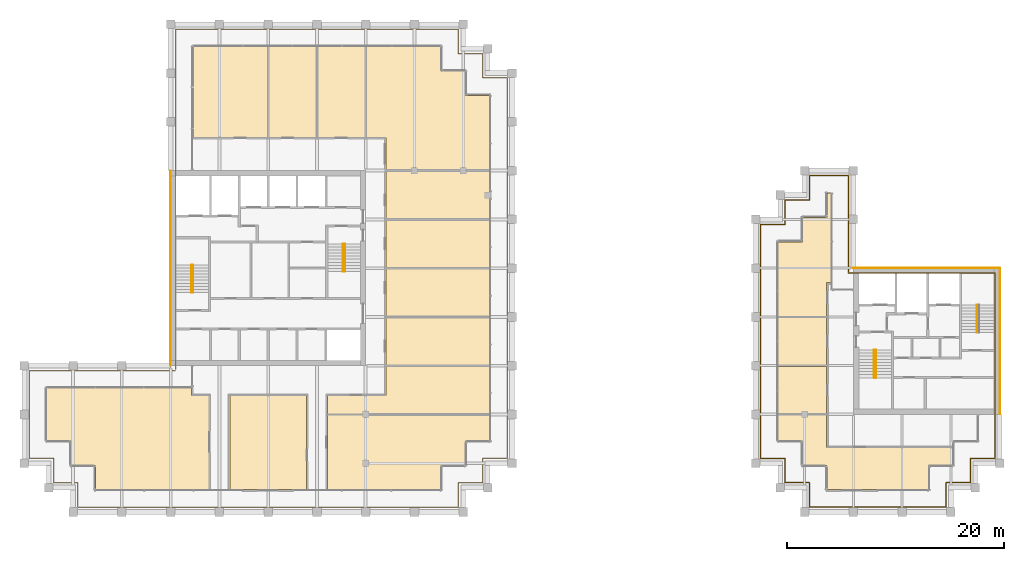
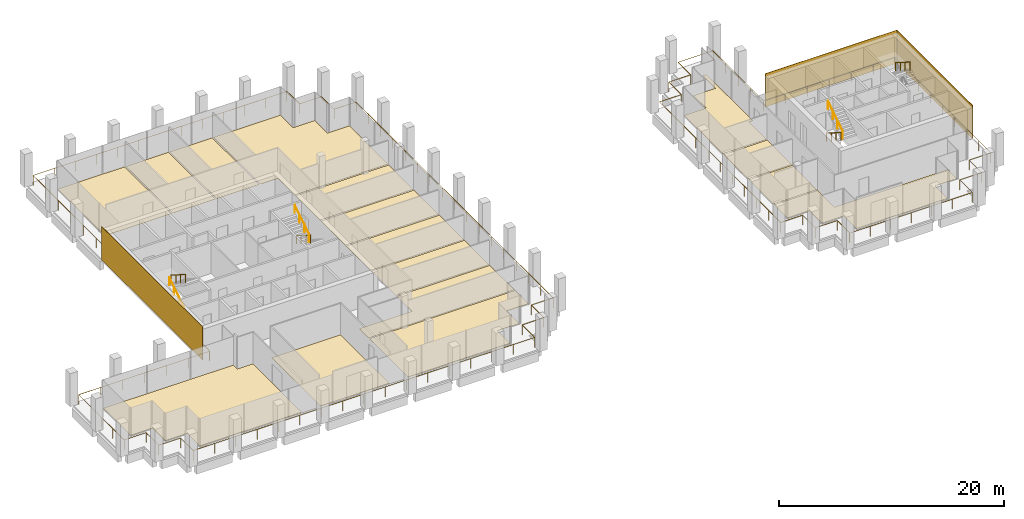
# One storey, part 40 of 41: 19 coverings, 9 railings.
"""IFC4 building model written with IfcOpenShell, lengths in metres."""

from ifc_helpers import new_model, si_unit, direction, frame, origin, origin_2d, place, context, subcontext, project, spatial, polyline, rectangle, circle, outline, extrude, source, transform, mapped, material, layer, layer_set, type_object, element, save


model = new_model("IFC4")

# Units and contexts
model_context = context("Model", 3, precision=1e-05, world=origin(), true_north=direction((0.0, 1.0)))
body_context = subcontext(model_context, "Body", "Model", "MODEL_VIEW")
ifc_project = project(units=[si_unit("LENGTHUNIT", "METRE"), si_unit("AREAUNIT", "SQUARE_METRE"), si_unit("VOLUMEUNIT", "CUBIC_METRE"), si_unit("PLANEANGLEUNIT", "RADIAN"), si_unit("MASSUNIT", "GRAM", prefix="KILO")], contexts=[model_context])

# Site, building, storey
site_placement = place(None, origin())
site = spatial("IfcSite", under=ifc_project, at=site_placement, CompositionType="ELEMENT")
building_placement = place(site_placement, origin())
building = spatial("IfcBuilding", under=site, at=building_placement, Name="Altepetl Exchange Towers", CompositionType="ELEMENT")
storey_placement = place(building_placement, frame((0.0, 0.0, 206.39990234375)))
storey = spatial("IfcBuildingStorey", under=building, at=storey_placement, Name="L52", CompositionType="ELEMENT", Elevation=206.39990234375)

# Coverings
ifc_material_1 = material(Name="Carpet tile")
ifc_layer_1 = layer(ifc_material_1, 0.02001953125)
ifc_layer_set_1 = layer_set([ifc_layer_1], Name="Carpet tile")
covering_type_1 = type_object("IfcCoveringType", Name="Carpet tile floor", PredefinedType="FLOORING", material=ifc_layer_set_1)
covering_1_placement = place(storey_placement, origin())
element("IfcCovering", 1, at=covering_1_placement, inside=storey, type_object=covering_type_1, Name="Family office floor finish A52.04", PredefinedType="FLOORING", context=body_context, shape_type="SweptSolid", body=[
    extrude(outline(polyline([(69.9375, 40.4375), (60.362548828125, 40.4375), (60.362548828125, 37.737548828125), (54.96240234375, 37.737548828125), (54.96240234375, 36.0625), (69.9375, 36.0625), (69.9375, 40.4375)])), origin(), (0.0, 0.0, 1.0), 0.02001953125),
])
covering_2_placement = place(storey_placement, origin())
element("IfcCovering", 2, at=covering_2_placement, inside=storey, type_object=covering_type_1, Name="Open office floor finish A52.05", PredefinedType="FLOORING", context=body_context, shape_type="SweptSolid", body=[
    extrude(outline(polyline([(69.9375, 44.9375), (60.362548828125, 44.9375), (60.362548828125, 40.5625), (69.9375, 40.5625), (69.9375, 44.9375)])), origin(), (0.0, 0.0, 1.0), 0.02001953125),
])
covering_3_placement = place(storey_placement, origin())
element("IfcCovering", 3, at=covering_3_placement, inside=storey, type_object=covering_type_1, Name="Conference room floor finish A52.06", PredefinedType="FLOORING", context=body_context, shape_type="SweptSolid", body=[
    extrude(outline(polyline([(69.9375, 49.4375), (60.362548828125, 49.4375), (60.362548828125, 45.0625), (69.9375, 45.0625), (69.9375, 49.4375)])), origin(), (0.0, 0.0, 1.0), 0.02001953125),
])
covering_4_placement = place(storey_placement, origin())
element("IfcCovering", 4, at=covering_4_placement, inside=storey, type_object=covering_type_1, Name="Open office floor finish A52.07", PredefinedType="FLOORING", context=body_context, shape_type="SweptSolid", body=[
    extrude(outline(polyline([(69.9375, 53.9375), (60.362548828125, 53.9375), (60.362548828125, 49.5625), (69.9375, 49.5625), (69.9375, 53.9375)])), origin(), (0.0, 0.0, 1.0), 0.02001953125),
])
covering_5_placement = place(storey_placement, origin())
element("IfcCovering", 5, at=covering_5_placement, inside=storey, type_object=covering_type_1, Name="Conference room floor finish A52.08", PredefinedType="FLOORING", context=body_context, shape_type="SweptSolid", body=[
    extrude(outline(polyline([(69.9375, 58.4375), (60.362548828125, 58.4375), (60.362548828125, 54.0625), (69.9375, 54.0625), (69.9375, 58.4375)])), origin(), (0.0, 0.0, 1.0), 0.02001953125),
])
covering_6_placement = place(storey_placement, origin())
element("IfcCovering", 6, at=covering_6_placement, inside=storey, type_object=covering_type_1, Name="Quiet room floor finish A52.10", PredefinedType="FLOORING", context=body_context, shape_type="SweptSolid", body=[
    extrude(outline(polyline([(58.4375, 61.5625), (58.4375, 69.9375), (54.0625, 69.9375), (54.0625, 61.5625), (58.4375, 61.5625)])), origin(), (0.0, 0.0, 1.0), 0.02001953125),
])
covering_7_placement = place(storey_placement, origin())
element("IfcCovering", 7, at=covering_7_placement, inside=storey, type_object=covering_type_1, Name="Pantry floor finish A52.11", PredefinedType="FLOORING", context=body_context, shape_type="SweptSolid", body=[
    extrude(outline(polyline([(53.9375, 61.5625), (53.9375, 69.9375), (49.5625, 69.9375), (49.5625, 61.5625), (53.9375, 61.5625)])), origin(), (0.0, 0.0, 1.0), 0.02001953125),
])
covering_8_placement = place(storey_placement, origin())
element("IfcCovering", 8, at=covering_8_placement, inside=storey, type_object=covering_type_1, Name="Open office floor finish A52.12", PredefinedType="FLOORING", context=body_context, shape_type="SweptSolid", body=[
    extrude(outline(polyline([(49.4375, 61.5625), (49.4375, 69.9375), (42.5625, 69.9375), (42.5625, 61.5625), (49.4375, 61.5625)])), origin(), (0.0, 0.0, 1.0), 0.02001953125),
])
covering_9_placement = place(storey_placement, origin())
element("IfcCovering", 9, at=covering_9_placement, inside=storey, type_object=covering_type_1, Name="Interview room floor finish B52.01", PredefinedType="FLOORING", context=body_context, shape_type="SweptSolid", body=[
    extrude(outline(polyline([(96.5625, 36.0625), (101.03759765625, 36.0625), (101.03759765625, 40.4375), (96.5625, 40.4375), (96.5625, 36.0625)])), origin(), (0.0, 0.0, 1.0), 0.02001953125),
])
covering_10_placement = place(storey_placement, origin())
element("IfcCovering", 10, at=covering_10_placement, inside=storey, type_object=covering_type_1, Name="Open office floor finish B52.02", PredefinedType="FLOORING", context=body_context, shape_type="SweptSolid", body=[
    extrude(outline(polyline([(112.6875, 31.3125), (112.6875, 32.9375), (101.03759765625, 32.9375), (101.03759765625, 35.9375), (96.5625, 35.9375), (96.5625, 33.5625), (98.8125, 33.5625), (98.8125, 31.3125), (101.0625, 31.3125), (101.0625, 29.0625), (110.4375, 29.0625), (110.4375, 31.3125), (112.6875, 31.3125)])), origin(), (0.0, 0.0, 1.0), 0.02001953125),
])
covering_11_placement = place(storey_placement, origin())
element("IfcCovering", 11, at=covering_11_placement, inside=storey, type_object=covering_type_1, Name="Interview room floor finish B52.04", PredefinedType="FLOORING", context=body_context, shape_type="SweptSolid", body=[
    extrude(outline(polyline([(96.5625, 40.5625), (101.03759765625, 40.5625), (101.03759765625, 44.9375), (96.5625, 44.9375), (96.5625, 40.5625)])), origin(), (0.0, 0.0, 1.0), 0.02001953125),
])
ifc_material_2 = material(Name="Cantera stone", Category="masonry")
ifc_layer_2 = layer(ifc_material_2, 0.030029296875)
ifc_layer_set_2 = layer_set([ifc_layer_2], Name="Cantera stone")
covering_type_2 = type_object("IfcCoveringType", Name="Polished stone floor", PredefinedType="FLOORING", material=ifc_layer_set_2)
covering_12_placement = place(storey_placement, origin())
element("IfcCovering", 12, at=covering_12_placement, inside=storey, type_object=covering_type_2, Name="Library floor finish A52.01", PredefinedType="FLOORING", context=body_context, shape_type="SweptSolid", body=[
    extrude(outline(polyline([(31.3125, 33.5625), (31.3125, 31.3125), (33.5625, 31.3125), (33.5625, 29.0625), (44.03759765625, 29.0625), (44.03759765625, 37.737548828125), (42.4375, 37.737548828125), (42.4375, 38.4375), (29.0625, 38.4375), (29.0625, 33.5625), (31.3125, 33.5625)])), origin(), (0.0, 0.0, 1.0), 0.030029296875),
])
covering_13_placement = place(storey_placement, origin())
element("IfcCovering", 13, at=covering_13_placement, inside=storey, type_object=covering_type_2, Name="Library floor finish A52.02", PredefinedType="FLOORING", context=body_context, shape_type="SweptSolid", body=[
    extrude(outline(polyline([(45.96240234375, 37.737548828125), (45.96240234375, 29.0625), (53.03759765625, 29.0625), (53.03759765625, 37.737548828125), (45.96240234375, 37.737548828125)])), origin(), (0.0, 0.0, 1.0), 0.030029296875),
])
covering_14_placement = place(storey_placement, origin())
element("IfcCovering", 14, at=covering_14_placement, inside=storey, type_object=covering_type_2, Name="Library floor finish A52.03", PredefinedType="FLOORING", context=body_context, shape_type="SweptSolid", body=[
    extrude(outline(polyline([(69.9375, 35.9375), (54.96240234375, 35.9375), (54.96240234375, 29.0625), (65.4375, 29.0625), (65.4375, 31.3125), (67.6875, 31.3125), (67.6875, 33.5625), (69.9375, 33.5625), (69.9375, 35.9375)])), origin(), (0.0, 0.0, 1.0), 0.030029296875),
])
covering_15_placement = place(storey_placement, origin())
element("IfcCovering", 15, at=covering_15_placement, inside=storey, type_object=covering_type_2, Name="Library floor finish A52.09", PredefinedType="FLOORING", context=body_context, shape_type="SweptSolid", body=[
    extrude(outline(polyline([(67.6875, 67.6875), (65.4375, 67.6875), (65.4375, 69.9375), (58.5625, 69.9375), (58.5625, 61.5625), (60.362548828125, 61.5625), (60.362548828125, 58.5625), (69.9375, 58.5625), (69.9375, 65.4375), (67.6875, 65.4375), (67.6875, 67.6875)])), origin(), (0.0, 0.0, 1.0), 0.030029296875),
])
covering_16_placement = place(storey_placement, origin())
element("IfcCovering", 16, at=covering_16_placement, inside=storey, type_object=covering_type_2, Name="Staff club floor finish B52.03", PredefinedType="FLOORING", context=body_context, shape_type="SweptSolid", body=[
    extrude(outline(polyline([(96.5625, 51.9375), (96.5625, 45.0625), (101.03759765625, 45.0625), (101.03759765625, 48.16259765625), (101.4375, 48.16259765625), (101.4375, 56.4375), (101.0625, 56.4375), (101.0625, 54.1875), (98.8125, 54.1875), (98.8125, 51.9375), (96.5625, 51.9375)])), origin(), (0.0, 0.0, 1.0), 0.030029296875),
])
ifc_material_3 = material(Name="Cantera limestone cladding", Category="masonry")
ifc_layer_3 = layer(ifc_material_3, 0.0400390625)
ifc_layer_set_3 = layer_set([ifc_layer_3], Name="Cantera limestone cladding")
covering_type_3 = type_object("IfcCoveringType", Name="Stone panel 40 cantera", PredefinedType="CLADDING", material=ifc_layer_set_3)
covering_17_placement = place(storey_placement, frame((40.47998046875, 49.5, 0.0), z_axis=(0.0, 0.0, 1.0), x_axis=(0.0, -1.0, 0.0)))
element("IfcCovering", 17, at=covering_17_placement, inside=storey, type_object=covering_type_3, Name="Stone cladding panel", PredefinedType="CLADDING", context=body_context, shape_type="SweptSolid", body=[
    extrude(rectangle(XDim=18.0, YDim=0.0400390625, at=origin_2d()), origin(), (0.0, 0.0, 1.0), 3.60009765625),
])
for number, where, z_axis, x_axis, name in (
    (18, (117.02001953125, 42.75, 0.0), (0.0, 0.0, 1.0), (0.0, 1.0, 0.0), "Stone cladding panel"),
    (19, (110.25, 49.52001953125, 0.0), (0.0, 0.0, 1.0), (-1.0, 0.0, 0.0), "Stone cladding panel"),
):
    element("IfcCovering", number, at=place(storey_placement, frame(where, z_axis=z_axis, x_axis=x_axis)), inside=storey, type_object=covering_type_3, Name=name, PredefinedType="CLADDING", context=body_context, shape_type="SweptSolid", body=[
        extrude(rectangle(XDim=13.5, YDim=0.0400390625, at=origin_2d()), origin(), (0.0, 0.0, 1.0), 3.60009765625),
    ])

# Railings
ifc_material_4 = material(Name="Steel S355", Category="steel")
railing_type_1 = type_object("IfcRailingType", Name="Guard 1100 steel posts and rail", PredefinedType="GUARDRAIL", material=ifc_material_4)
shared_shape_1 = source(origin(), body_context, "Body", "SweptSolid", [
    extrude(circle(Radius=0.02099609375, at=origin_2d()), origin(), (0.0, 0.0, 1.0), 1.052001953125),
])
railing_1_placement = place(storey_placement, frame((40.949951171875, 40.050048828125, 0.0)))
element("IfcRailing", 20, at=railing_1_placement, inside=storey, type_object=railing_type_1, Name="Loggia guard", PredefinedType="GUARDRAIL", context=body_context, shape_type="SweptSolid", body=[
    extrude(circle(Radius=0.02392578125, at=origin_2d()), frame((0.0, 0.0, 1.076171875), z_axis=(-1.0, 0.0, 0.0), x_axis=(0.0, -1.0, 0.0)), (0.0, 0.0, 1.0), 13.5),
    extrude(circle(Radius=0.02392578125, at=origin_2d()), frame((-13.5, 0.0, 1.076171875), z_axis=(0.0, -1.0, 0.0), x_axis=(1.0, 0.0, 0.0)), (0.0, 0.0, 1.0), 8.10009765625),
    extrude(circle(Radius=0.02392578125, at=origin_2d()), frame((-13.5, -8.10009765625, 1.076171875), z_axis=(1.0, 0.0, 0.0), x_axis=(0.0, 1.0, 0.0)), (0.0, 0.0, 1.0), 2.25),
    extrude(circle(Radius=0.02392578125, at=origin_2d()), frame((-11.25, -8.10009765625, 1.076171875), z_axis=(0.0, -1.0, 0.0), x_axis=(1.0, 0.0, 0.0)), (0.0, 0.0, 1.0), 2.25),
    extrude(circle(Radius=0.02392578125, at=origin_2d()), frame((-11.25, -10.35009765625, 1.076171875), z_axis=(1.0, 0.0, 0.0), x_axis=(0.0, 1.0, 0.0)), (0.0, 0.0, 1.0), 2.25),
    extrude(circle(Radius=0.02392578125, at=origin_2d()), frame((-9.0, -10.35009765625, 1.076171875), z_axis=(0.0, -1.0, 0.0), x_axis=(1.0, 0.0, 0.0)), (0.0, 0.0, 1.0), 2.25),
    extrude(circle(Radius=0.02392578125, at=origin_2d()), frame((-9.0, -12.60009765625, 1.076171875), z_axis=(1.0, 0.0, 0.0), x_axis=(0.0, 1.0, 0.0)), (0.0, 0.0, 1.0), 35.10009765625),
    extrude(circle(Radius=0.02392578125, at=origin_2d()), frame((26.10009765625, -12.60009765625, 1.076171875), z_axis=(0.0, 1.0, 0.0), x_axis=(-1.0, 0.0, 0.0)), (0.0, 0.0, 1.0), 2.25),
    extrude(circle(Radius=0.02392578125, at=origin_2d()), frame((26.10009765625, -10.35009765625, 1.076171875), z_axis=(1.0, 0.0, 0.0), x_axis=(0.0, 1.0, 0.0)), (0.0, 0.0, 1.0), 2.25),
    extrude(circle(Radius=0.02392578125, at=origin_2d()), frame((28.35009765625, -10.35009765625, 1.076171875), z_axis=(0.0, 1.0, 0.0), x_axis=(-1.0, 0.0, 0.0)), (0.0, 0.0, 1.0), 2.25),
    extrude(circle(Radius=0.02392578125, at=origin_2d()), frame((28.35009765625, -8.10009765625, 1.076171875), z_axis=(1.0, 0.0, 0.0), x_axis=(0.0, 1.0, 0.0)), (0.0, 0.0, 1.0), 2.25),
    extrude(circle(Radius=0.02392578125, at=origin_2d()), frame((30.60009765625, -8.10009765625, 1.076171875), z_axis=(0.0, 1.0, 0.0), x_axis=(-1.0, 0.0, 0.0)), (0.0, 0.0, 1.0), 35.10009765625),
    extrude(circle(Radius=0.02392578125, at=origin_2d()), frame((30.60009765625, 27.0, 1.076171875), z_axis=(-1.0, 0.0, 0.0), x_axis=(0.0, -1.0, 0.0)), (0.0, 0.0, 1.0), 2.25),
    extrude(circle(Radius=0.02392578125, at=origin_2d()), frame((28.35009765625, 27.0, 1.076171875), z_axis=(0.0, 1.0, 0.0), x_axis=(-1.0, 0.0, 0.0)), (0.0, 0.0, 1.0), 2.25),
    extrude(circle(Radius=0.02392578125, at=origin_2d()), frame((28.35009765625, 29.25, 1.076171875), z_axis=(-1.0, 0.0, 0.0), x_axis=(0.0, -1.0, 0.0)), (0.0, 0.0, 1.0), 2.25),
    extrude(circle(Radius=0.02392578125, at=origin_2d()), frame((26.10009765625, 29.25, 1.076171875), z_axis=(0.0, 1.0, 0.0), x_axis=(-1.0, 0.0, 0.0)), (0.0, 0.0, 1.0), 2.25),
    extrude(circle(Radius=0.02392578125, at=origin_2d()), frame((26.10009765625, 31.5, 1.076171875), z_axis=(-1.0, 0.0, 0.0), x_axis=(0.0, -1.0, 0.0)), (0.0, 0.0, 1.0), 26.10009765625),
    extrude(circle(Radius=0.02392578125, at=origin_2d()), frame((0.0, 31.5, 1.076171875), z_axis=(0.0, -1.0, 0.0), x_axis=(1.0, 0.0, 0.0)), (0.0, 0.0, 1.0), 31.400146484375),
    mapped(shared_shape_1, transform((0.0, 0.0, 0.0))),
    mapped(shared_shape_1, transform((-2.25, 0.0, 0.0))),
    mapped(shared_shape_1, transform((-4.5, 0.0, 0.0))),
    mapped(shared_shape_1, transform((-6.75, 0.0, 0.0))),
    mapped(shared_shape_1, transform((-9.0, 0.0, 0.0))),
    mapped(shared_shape_1, transform((-11.25, 0.0, 0.0))),
    mapped(shared_shape_1, transform((-13.5, 0.0, 0.0))),
    mapped(shared_shape_1, transform((-13.5, -2.02490234375, 0.0))),
    mapped(shared_shape_1, transform((-13.5, -4.050048828125, 0.0))),
    mapped(shared_shape_1, transform((-13.5, -6.0751953125, 0.0))),
    mapped(shared_shape_1, transform((-13.5, -8.10009765625, 0.0))),
    mapped(shared_shape_1, transform((-11.25, -8.10009765625, 0.0))),
    mapped(shared_shape_1, transform((-11.25, -10.35009765625, 0.0))),
    mapped(shared_shape_1, transform((-9.0, -10.35009765625, 0.0))),
    mapped(shared_shape_1, transform((-9.0, -12.60009765625, 0.0))),
    mapped(shared_shape_1, transform((-6.80615234375, -12.60009765625, 0.0))),
    mapped(shared_shape_1, transform((-4.612548828125, -12.60009765625, 0.0))),
    mapped(shared_shape_1, transform((-2.418701171875, -12.60009765625, 0.0))),
    mapped(shared_shape_1, transform((-0.22509765625, -12.60009765625, 0.0))),
    mapped(shared_shape_1, transform((1.96875, -12.60009765625, 0.0))),
    mapped(shared_shape_1, transform((4.16259765625, -12.60009765625, 0.0))),
    mapped(shared_shape_1, transform((6.356201171875, -12.60009765625, 0.0))),
    mapped(shared_shape_1, transform((8.550048828125, -12.60009765625, 0.0))),
    mapped(shared_shape_1, transform((10.743896484375, -12.60009765625, 0.0))),
    mapped(shared_shape_1, transform((12.9375, -12.60009765625, 0.0))),
    mapped(shared_shape_1, transform((15.13134765625, -12.60009765625, 0.0))),
    mapped(shared_shape_1, transform((17.3251953125, -12.60009765625, 0.0))),
    mapped(shared_shape_1, transform((19.518798828125, -12.60009765625, 0.0))),
    mapped(shared_shape_1, transform((21.712646484375, -12.60009765625, 0.0))),
    mapped(shared_shape_1, transform((23.90625, -12.60009765625, 0.0))),
    mapped(shared_shape_1, transform((26.10009765625, -12.60009765625, 0.0))),
    mapped(shared_shape_1, transform((26.10009765625, -10.35009765625, 0.0))),
    mapped(shared_shape_1, transform((28.35009765625, -10.35009765625, 0.0))),
    mapped(shared_shape_1, transform((28.35009765625, -8.10009765625, 0.0))),
    mapped(shared_shape_1, transform((30.60009765625, -8.10009765625, 0.0))),
    mapped(shared_shape_1, transform((30.60009765625, -5.90625, 0.0))),
    mapped(shared_shape_1, transform((30.60009765625, -3.712646484375, 0.0))),
    mapped(shared_shape_1, transform((30.60009765625, -1.518798828125, 0.0))),
    mapped(shared_shape_1, transform((30.60009765625, 0.6748046875, 0.0))),
    mapped(shared_shape_1, transform((30.60009765625, 2.86865234375, 0.0))),
    mapped(shared_shape_1, transform((30.60009765625, 5.0625, 0.0))),
    mapped(shared_shape_1, transform((30.60009765625, 7.256103515625, 0.0))),
    mapped(shared_shape_1, transform((30.60009765625, 9.449951171875, 0.0))),
    mapped(shared_shape_1, transform((30.60009765625, 11.643798828125, 0.0))),
    mapped(shared_shape_1, transform((30.60009765625, 13.83740234375, 0.0))),
    mapped(shared_shape_1, transform((30.60009765625, 16.03125, 0.0))),
    mapped(shared_shape_1, transform((30.60009765625, 18.22509765625, 0.0))),
    mapped(shared_shape_1, transform((30.60009765625, 20.418701171875, 0.0))),
    mapped(shared_shape_1, transform((30.60009765625, 22.612548828125, 0.0))),
    mapped(shared_shape_1, transform((30.60009765625, 24.80615234375, 0.0))),
    mapped(shared_shape_1, transform((30.60009765625, 27.0, 0.0))),
    mapped(shared_shape_1, transform((28.35009765625, 27.0, 0.0))),
    mapped(shared_shape_1, transform((28.35009765625, 29.25, 0.0))),
    mapped(shared_shape_1, transform((26.10009765625, 29.25, 0.0))),
    mapped(shared_shape_1, transform((26.10009765625, 31.5, 0.0))),
    mapped(shared_shape_1, transform((23.925048828125, 31.5, 0.0))),
    mapped(shared_shape_1, transform((21.75, 31.5, 0.0))),
    mapped(shared_shape_1, transform((19.5751953125, 31.5, 0.0))),
    mapped(shared_shape_1, transform((17.400146484375, 31.5, 0.0))),
    mapped(shared_shape_1, transform((15.22509765625, 31.5, 0.0))),
    mapped(shared_shape_1, transform((13.050048828125, 31.5, 0.0))),
    mapped(shared_shape_1, transform((10.875, 31.5, 0.0))),
    mapped(shared_shape_1, transform((8.699951171875, 31.5, 0.0))),
    mapped(shared_shape_1, transform((6.52490234375, 31.5, 0.0))),
    mapped(shared_shape_1, transform((4.35009765625, 31.5, 0.0))),
    mapped(shared_shape_1, transform((2.175048828125, 31.5, 0.0))),
    mapped(shared_shape_1, transform((0.0, 31.5, 0.0))),
    mapped(shared_shape_1, transform((0.0, 29.257080078125, 0.0))),
    mapped(shared_shape_1, transform((0.0, 27.01416015625, 0.0))),
    mapped(shared_shape_1, transform((0.0, 24.771484375, 0.0))),
    mapped(shared_shape_1, transform((0.0, 22.528564453125, 0.0))),
    mapped(shared_shape_1, transform((0.0, 20.28564453125, 0.0))),
    mapped(shared_shape_1, transform((0.0, 18.042724609375, 0.0))),
    mapped(shared_shape_1, transform((0.0, 15.7998046875, 0.0))),
    mapped(shared_shape_1, transform((0.0, 13.55712890625, 0.0))),
    mapped(shared_shape_1, transform((0.0, 11.314208984375, 0.0))),
    mapped(shared_shape_1, transform((0.0, 9.0712890625, 0.0))),
    mapped(shared_shape_1, transform((0.0, 6.828369140625, 0.0))),
    mapped(shared_shape_1, transform((0.0, 4.585693359375, 0.0))),
    mapped(shared_shape_1, transform((0.0, 2.3427734375, 0.0))),
    mapped(shared_shape_1, transform((0.0, 0.099853515625, 0.0))),
])
railing_2_placement = place(storey_placement, frame((99.449951171875, 27.449951171875, 0.0)))
element("IfcRailing", 21, at=railing_2_placement, inside=storey, type_object=railing_type_1, Name="Loggia guard", PredefinedType="GUARDRAIL", context=body_context, shape_type="SweptSolid", body=[
    extrude(circle(Radius=0.02392578125, at=origin_2d()), frame((0.0, 0.0, 1.076171875), z_axis=(1.0, 0.0, 0.0), x_axis=(0.0, 1.0, 0.0)), (0.0, 0.0, 1.0), 12.60009765625),
    extrude(circle(Radius=0.02392578125, at=origin_2d()), frame((12.60009765625, 0.0, 1.076171875), z_axis=(0.0, 1.0, 0.0), x_axis=(-1.0, 0.0, 0.0)), (0.0, 0.0, 1.0), 2.25),
    extrude(circle(Radius=0.02392578125, at=origin_2d()), frame((12.60009765625, 2.25, 1.076171875), z_axis=(1.0, 0.0, 0.0), x_axis=(0.0, 1.0, 0.0)), (0.0, 0.0, 1.0), 2.25),
    extrude(circle(Radius=0.02392578125, at=origin_2d()), frame((14.85009765625, 2.25, 1.076171875), z_axis=(0.0, 1.0, 0.0), x_axis=(-1.0, 0.0, 0.0)), (0.0, 0.0, 1.0), 2.25),
    extrude(circle(Radius=0.02392578125, at=origin_2d()), frame((14.85009765625, 4.5, 1.076171875), z_axis=(1.0, 0.0, 0.0), x_axis=(0.0, 1.0, 0.0)), (0.0, 0.0, 1.0), 2.25),
    extrude(circle(Radius=0.02392578125, at=origin_2d()), frame((17.10009765625, 4.5, 1.076171875), z_axis=(0.0, 1.0, 0.0), x_axis=(-1.0, 0.0, 0.0)), (0.0, 0.0, 1.0), 17.10009765625),
    extrude(circle(Radius=0.02392578125, at=origin_2d()), frame((17.10009765625, 21.60009765625, 1.076171875), z_axis=(-1.0, 0.0, 0.0), x_axis=(0.0, -1.0, 0.0)), (0.0, 0.0, 1.0), 13.5),
    extrude(circle(Radius=0.02392578125, at=origin_2d()), frame((3.60009765625, 21.60009765625, 1.076171875), z_axis=(0.0, 1.0, 0.0), x_axis=(-1.0, 0.0, 0.0)), (0.0, 0.0, 1.0), 9.0),
    extrude(circle(Radius=0.02392578125, at=origin_2d()), frame((3.60009765625, 30.60009765625, 1.076171875), z_axis=(-1.0, 0.0, 0.0), x_axis=(0.0, -1.0, 0.0)), (0.0, 0.0, 1.0), 3.60009765625),
    extrude(circle(Radius=0.02392578125, at=origin_2d()), frame((0.0, 30.60009765625, 1.076171875), z_axis=(0.0, -1.0, 0.0), x_axis=(1.0, 0.0, 0.0)), (0.0, 0.0, 1.0), 2.25),
    extrude(circle(Radius=0.02392578125, at=origin_2d()), frame((0.0, 28.35009765625, 1.076171875), z_axis=(-1.0, 0.0, 0.0), x_axis=(0.0, -1.0, 0.0)), (0.0, 0.0, 1.0), 2.25),
    extrude(circle(Radius=0.02392578125, at=origin_2d()), frame((-2.25, 28.35009765625, 1.076171875), z_axis=(0.0, -1.0, 0.0), x_axis=(1.0, 0.0, 0.0)), (0.0, 0.0, 1.0), 2.25),
    extrude(circle(Radius=0.02392578125, at=origin_2d()), frame((-2.25, 26.10009765625, 1.076171875), z_axis=(-1.0, 0.0, 0.0), x_axis=(0.0, -1.0, 0.0)), (0.0, 0.0, 1.0), 2.25),
    extrude(circle(Radius=0.02392578125, at=origin_2d()), frame((-4.5, 26.10009765625, 1.076171875), z_axis=(0.0, -1.0, 0.0), x_axis=(1.0, 0.0, 0.0)), (0.0, 0.0, 1.0), 21.60009765625),
    extrude(circle(Radius=0.02392578125, at=origin_2d()), frame((-4.5, 4.5, 1.076171875), z_axis=(1.0, 0.0, 0.0), x_axis=(0.0, 1.0, 0.0)), (0.0, 0.0, 1.0), 2.25),
    extrude(circle(Radius=0.02392578125, at=origin_2d()), frame((-2.25, 4.5, 1.076171875), z_axis=(0.0, -1.0, 0.0), x_axis=(1.0, 0.0, 0.0)), (0.0, 0.0, 1.0), 2.25),
    extrude(circle(Radius=0.02392578125, at=origin_2d()), frame((-2.25, 2.25, 1.076171875), z_axis=(1.0, 0.0, 0.0), x_axis=(0.0, 1.0, 0.0)), (0.0, 0.0, 1.0), 2.25),
    extrude(circle(Radius=0.02392578125, at=origin_2d()), frame((0.0, 2.25, 1.076171875), z_axis=(0.0, -1.0, 0.0), x_axis=(1.0, 0.0, 0.0)), (0.0, 0.0, 1.0), 2.14990234375),
    mapped(shared_shape_1, transform((0.0, 0.0, 0.0))),
    mapped(shared_shape_1, transform((2.10009765625, 0.0, 0.0))),
    mapped(shared_shape_1, transform((4.199951171875, 0.0, 0.0))),
    mapped(shared_shape_1, transform((6.300048828125, 0.0, 0.0))),
    mapped(shared_shape_1, transform((8.400146484375, 0.0, 0.0))),
    mapped(shared_shape_1, transform((10.5, 0.0, 0.0))),
    mapped(shared_shape_1, transform((12.60009765625, 0.0, 0.0))),
    mapped(shared_shape_1, transform((12.60009765625, 2.25, 0.0))),
    mapped(shared_shape_1, transform((14.85009765625, 2.25, 0.0))),
    mapped(shared_shape_1, transform((14.85009765625, 4.5, 0.0))),
    mapped(shared_shape_1, transform((17.10009765625, 4.5, 0.0))),
    mapped(shared_shape_1, transform((17.10009765625, 6.637451171875, 0.0))),
    mapped(shared_shape_1, transform((17.10009765625, 8.77490234375, 0.0))),
    mapped(shared_shape_1, transform((17.10009765625, 10.91259765625, 0.0))),
    mapped(shared_shape_1, transform((17.10009765625, 13.050048828125, 0.0))),
    mapped(shared_shape_1, transform((17.10009765625, 15.1875, 0.0))),
    mapped(shared_shape_1, transform((17.10009765625, 17.3251953125, 0.0))),
    mapped(shared_shape_1, transform((17.10009765625, 19.462646484375, 0.0))),
    mapped(shared_shape_1, transform((17.10009765625, 21.60009765625, 0.0))),
    mapped(shared_shape_1, transform((14.85009765625, 21.60009765625, 0.0))),
    mapped(shared_shape_1, transform((12.60009765625, 21.60009765625, 0.0))),
    mapped(shared_shape_1, transform((10.35009765625, 21.60009765625, 0.0))),
    mapped(shared_shape_1, transform((8.10009765625, 21.60009765625, 0.0))),
    mapped(shared_shape_1, transform((5.85009765625, 21.60009765625, 0.0))),
    mapped(shared_shape_1, transform((3.60009765625, 21.60009765625, 0.0))),
    mapped(shared_shape_1, transform((3.60009765625, 23.85009765625, 0.0))),
    mapped(shared_shape_1, transform((3.60009765625, 26.10009765625, 0.0))),
    mapped(shared_shape_1, transform((3.60009765625, 28.35009765625, 0.0))),
    mapped(shared_shape_1, transform((3.60009765625, 30.60009765625, 0.0))),
    mapped(shared_shape_1, transform((1.800048828125, 30.60009765625, 0.0))),
    mapped(shared_shape_1, transform((0.0, 30.60009765625, 0.0))),
    mapped(shared_shape_1, transform((0.0, 28.35009765625, 0.0))),
    mapped(shared_shape_1, transform((-2.25, 28.35009765625, 0.0))),
    mapped(shared_shape_1, transform((-2.25, 26.10009765625, 0.0))),
    mapped(shared_shape_1, transform((-4.5, 26.10009765625, 0.0))),
    mapped(shared_shape_1, transform((-4.5, 23.940185546875, 0.0))),
    mapped(shared_shape_1, transform((-4.5, 21.780029296875, 0.0))),
    mapped(shared_shape_1, transform((-4.5, 19.6201171875, 0.0))),
    mapped(shared_shape_1, transform((-4.5, 17.4599609375, 0.0))),
    mapped(shared_shape_1, transform((-4.5, 15.300048828125, 0.0))),
    mapped(shared_shape_1, transform((-4.5, 13.14013671875, 0.0))),
    mapped(shared_shape_1, transform((-4.5, 10.97998046875, 0.0))),
    mapped(shared_shape_1, transform((-4.5, 8.820068359375, 0.0))),
    mapped(shared_shape_1, transform((-4.5, 6.659912109375, 0.0))),
    mapped(shared_shape_1, transform((-4.5, 4.5, 0.0))),
    mapped(shared_shape_1, transform((-2.25, 4.5, 0.0))),
    mapped(shared_shape_1, transform((-2.25, 2.25, 0.0))),
    mapped(shared_shape_1, transform((0.0, 2.25, 0.0))),
    mapped(shared_shape_1, transform((0.0, 0.10009765625, 0.0))),
])
ifc_material_5 = material(Name="Steel", Category="steel")
railing_type_2 = type_object("IfcRailingType", Name="Stair handrail 50 steel tube", PredefinedType="HANDRAIL", material=ifc_material_5)
shared_shape_2 = source(origin(), body_context, "Body", "SweptSolid", [
    extrude(circle(Radius=0.02099609375, at=origin_2d()), origin(), (0.0, 0.0, 1.0), 0.851806640625),
])
railing_3_placement = place(storey_placement, frame((42.419921875, 47.25, 0.18017578125)))
element("IfcRailing", 22, at=railing_3_placement, inside=storey, type_object=railing_type_2, Name="Stair handrail", PredefinedType="HANDRAIL", context=body_context, shape_type="SweptSolid", body=[
    extrude(circle(Radius=0.02392578125, at=origin_2d()), frame((0.0, 0.0, 0.8759765625), z_axis=(0.0, 0.845502289212, 0.533971796014), x_axis=(-1.0, 0.0, 0.0)), (0.0, 0.0, 1.0), 3.03369140625),
    mapped(shared_shape_2, transform((0.0, 0.0, 0.0))),
    mapped(shared_shape_2, transform((0.0, 0.85498046875, 0.5400390625))),
    mapped(shared_shape_2, transform((0.0, 1.7099609375, 1.079833984375))),
    mapped(shared_shape_2, transform((0.0, 2.56494140625, 1.619873046875))),
])
railing_4_placement = place(storey_placement, frame((42.580078125, 49.81494140625, 1.97998046875)))
element("IfcRailing", 23, at=railing_4_placement, inside=storey, type_object=railing_type_2, Name="Stair handrail", PredefinedType="HANDRAIL", context=body_context, shape_type="SweptSolid", body=[
    extrude(circle(Radius=0.02392578125, at=origin_2d()), frame((0.0, 0.0, 0.8759765625), z_axis=(0.0, -0.845465955043, 0.534029323973), x_axis=(1.0, 0.0, 0.0)), (0.0, 0.0, 1.0), 3.03369140625),
    mapped(shared_shape_2, transform((0.0, 0.0, 0.0))),
    mapped(shared_shape_2, transform((0.0, -0.85498046875, 0.5400390625))),
    mapped(shared_shape_2, transform((0.0, -1.7099609375, 1.080078125))),
    mapped(shared_shape_2, transform((0.0, -2.56494140625, 1.6201171875))),
])
railing_5_placement = place(storey_placement, frame((56.580078125, 51.75, 0.18017578125)))
element("IfcRailing", 24, at=railing_5_placement, inside=storey, type_object=railing_type_2, Name="Stair handrail", PredefinedType="HANDRAIL", context=body_context, shape_type="SweptSolid", body=[
    extrude(circle(Radius=0.02392578125, at=origin_2d()), frame((0.0, 0.0, 0.8759765625), z_axis=(0.0, -0.845502289212, 0.533971796014), x_axis=(1.0, 0.0, 0.0)), (0.0, 0.0, 1.0), 3.03369140625),
    mapped(shared_shape_2, transform((0.0, 0.0, 0.0))),
    mapped(shared_shape_2, transform((0.0, -0.85498046875, 0.5400390625))),
    mapped(shared_shape_2, transform((0.0, -1.7099609375, 1.079833984375))),
    mapped(shared_shape_2, transform((0.0, -2.56494140625, 1.619873046875))),
])
railing_6_placement = place(storey_placement, frame((56.419921875, 49.18505859375, 1.97998046875)))
element("IfcRailing", 25, at=railing_6_placement, inside=storey, type_object=railing_type_2, Name="Stair handrail", PredefinedType="HANDRAIL", context=body_context, shape_type="SweptSolid", body=[
    extrude(circle(Radius=0.02392578125, at=origin_2d()), frame((0.0, 0.0, 0.8759765625), z_axis=(0.0, 0.845465955043, 0.534029323973), x_axis=(-1.0, 0.0, 0.0)), (0.0, 0.0, 1.0), 3.03369140625),
    mapped(shared_shape_2, transform((0.0, 0.0, 0.0))),
    mapped(shared_shape_2, transform((0.0, 0.85498046875, 0.5400390625))),
    mapped(shared_shape_2, transform((0.0, 1.7099609375, 1.080078125))),
    mapped(shared_shape_2, transform((0.0, 2.56494140625, 1.6201171875))),
])
railing_7_placement = place(storey_placement, frame((105.419921875, 41.949951171875, 0.18017578125)))
element("IfcRailing", 26, at=railing_7_placement, inside=storey, type_object=railing_type_2, Name="Stair handrail", PredefinedType="HANDRAIL", context=body_context, shape_type="SweptSolid", body=[
    extrude(circle(Radius=0.02392578125, at=origin_2d()), frame((0.0, 0.0, 0.8759765625), z_axis=(0.0, -0.845502289212, 0.533971796014), x_axis=(1.0, 0.0, 0.0)), (0.0, 0.0, 1.0), 3.03369140625),
    mapped(shared_shape_2, transform((0.0, 0.0, 0.0))),
    mapped(shared_shape_2, transform((0.0, -0.85498046875, 0.5400390625))),
    mapped(shared_shape_2, transform((0.0, -1.7099609375, 1.079833984375))),
    mapped(shared_shape_2, transform((0.0, -2.56494140625, 1.619873046875))),
])
railing_8_placement = place(storey_placement, frame((105.580078125, 39.385009765625, 1.97998046875)))
element("IfcRailing", 27, at=railing_8_placement, inside=storey, type_object=railing_type_2, Name="Stair handrail", PredefinedType="HANDRAIL", context=body_context, shape_type="SweptSolid", body=[
    extrude(circle(Radius=0.02392578125, at=origin_2d()), frame((0.0, 0.0, 0.8759765625), z_axis=(0.0, 0.845465955043, 0.534029323973), x_axis=(-1.0, 0.0, 0.0)), (0.0, 0.0, 1.0), 3.03369140625),
    mapped(shared_shape_2, transform((0.0, 0.0, 0.0))),
    mapped(shared_shape_2, transform((0.0, 0.85498046875, 0.5400390625))),
    mapped(shared_shape_2, transform((0.0, 1.7099609375, 1.080078125))),
    mapped(shared_shape_2, transform((0.0, 2.56494140625, 1.6201171875))),
])
railing_9_placement = place(storey_placement, frame((114.919921875, 46.114990234375, 1.97998046875)))
element("IfcRailing", 28, at=railing_9_placement, inside=storey, type_object=railing_type_2, Name="Stair handrail", PredefinedType="HANDRAIL", context=body_context, shape_type="SweptSolid", body=[
    extrude(circle(Radius=0.02392578125, at=origin_2d()), frame((0.0, 0.0, 0.8759765625), z_axis=(0.0, -0.845465955043, 0.534029323973), x_axis=(1.0, 0.0, 0.0)), (0.0, 0.0, 1.0), 3.03369140625),
    mapped(shared_shape_2, transform((0.0, 0.0, 0.0))),
    mapped(shared_shape_2, transform((0.0, -0.85498046875, 0.5400390625))),
    mapped(shared_shape_2, transform((0.0, -1.7099609375, 1.080078125))),
    mapped(shared_shape_2, transform((0.0, -2.56494140625, 1.6201171875))),
])

save(model, "model.ifc")
